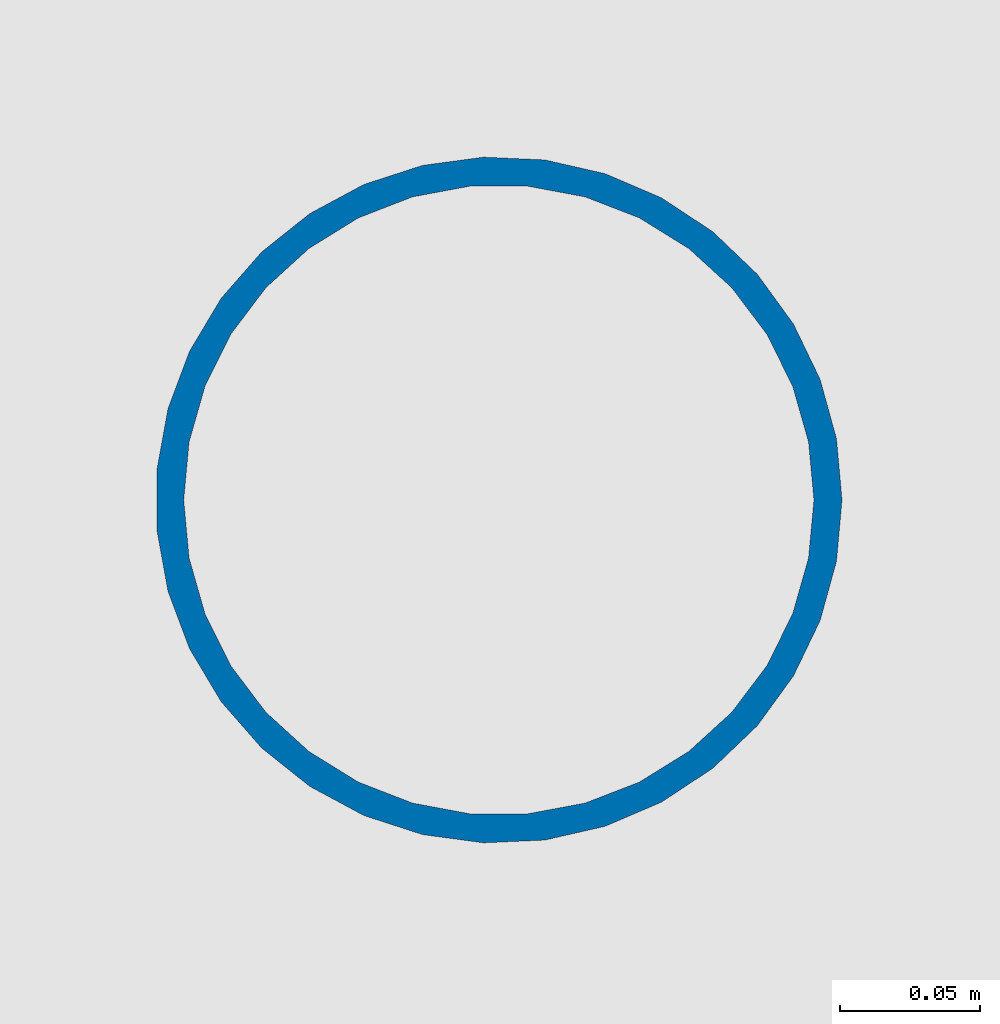
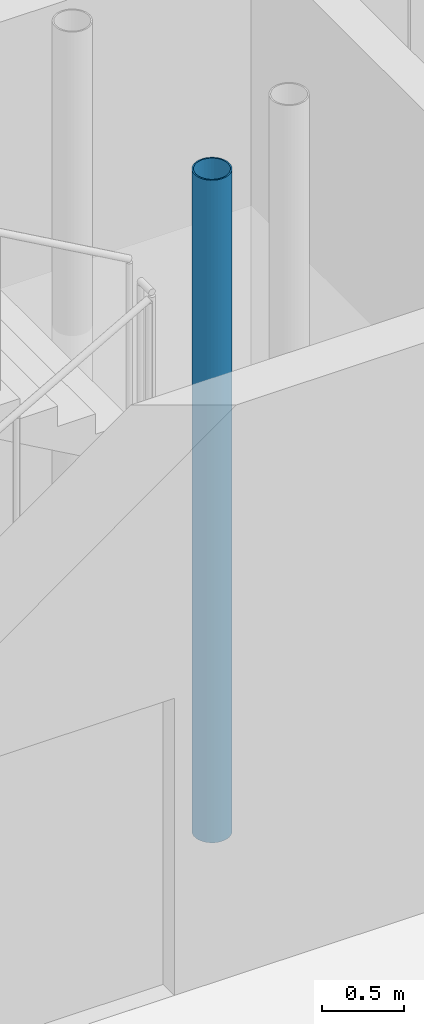
# One storey, part 21 of 166: 1 column.
"""IFC4 building model written with IfcOpenShell, lengths in metres."""

from ifc_helpers import new_model, si_unit, direction, frame, origin, origin_2d, place, context, subcontext, project, spatial, hollow_circle, extrude, material, material_profile, profile_set, type_object, element, save


model = new_model("IFC4")

# Units and contexts
model_context = context("Model", 3, precision=1e-05, world=origin(), true_north=direction((0.0, 1.0)))
body_context = subcontext(model_context, "Body", "Model", "MODEL_VIEW")
ifc_project = project(units=[si_unit("LENGTHUNIT", "METRE"), si_unit("AREAUNIT", "SQUARE_METRE"), si_unit("VOLUMEUNIT", "CUBIC_METRE"), si_unit("PLANEANGLEUNIT", "RADIAN"), si_unit("MASSUNIT", "GRAM", prefix="KILO")], contexts=[model_context])

# Site, building, storey
site_placement = place(None, origin())
site = spatial("IfcSite", under=ifc_project, at=site_placement, CompositionType="ELEMENT")
building_placement = place(site_placement, origin())
building = spatial("IfcBuilding", under=site, at=building_placement, Name="Kharva Crest Polytechnic", CompositionType="ELEMENT")
storey_placement = place(building_placement, origin())
storey = spatial("IfcBuildingStorey", under=building, at=storey_placement, Name="L00", CompositionType="ELEMENT", Elevation=0.0)

# Column
ifc_material = material(Name="Steel S355", Category="steel")
ifc_material_profile = material_profile(ifc_material, hollow_circle(Radius=0.122314453125, WallThickness=0.010009765625, at=origin_2d()), Name="CHS 244.5X10.0")
ifc_profile_set = profile_set([ifc_material_profile], Name="Steel S355")
column_type = type_object("IfcColumnType", Name="COL-STL-CHS244", PredefinedType="COLUMN", material=ifc_profile_set)
column_placement = place(storey_placement, frame((94.080078125, 9.330078125, -0.405029296875), z_axis=(0.0, 0.0, 1.0), x_axis=(1.0, 0.0, 0.0)))
element("IfcColumn", 1, at=column_placement, inside=storey, type_object=column_type, Name="L00 Stair ST-08 Landing Support Column SW", PredefinedType="COLUMN", context=body_context, shape_type="SweptSolid", body=[
    extrude(hollow_circle(Radius=0.122314453125, WallThickness=0.010009765625, at=origin_2d()), origin(), (0.0, 0.0, 1.0), 4.905029296875),
])

save(model, "model.ifc")
